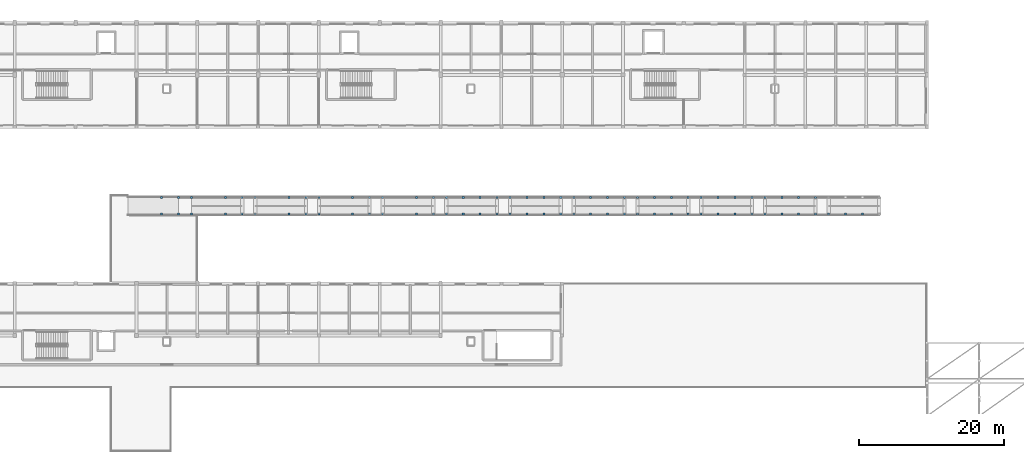
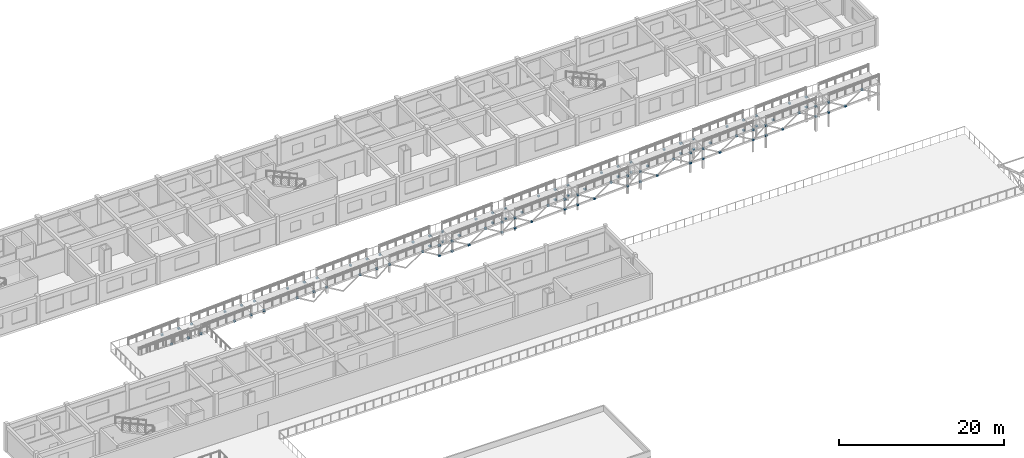
# One storey, part 25 of 41: 106 plates.
"""IFC4 building model written with IfcOpenShell, lengths in metres."""

import ifcopenshell
import ifcopenshell.guid

model = None  # the IFC model being written
_history = None  # IfcOwnerHistory: only IFC2X3 demands one
_inside = {}  # id of a spatial element -> (the spatial element, [elements in it])
_under = {}  # id of a project, library or spatial element -> (it, [spatial elements below it])
_declared = {}  # id of a project -> (the project, [libraries it declares])
_typed = {}  # id of a type object -> (the type object, [elements of that type])
_made_of = {}  # id of a material, layer set ... -> (it, [elements and type objects made of it])


def new_model(schema):
    """Start an empty IFC model of exactly this schema.

    Asked for "IFC4X3", IfcOpenShell would pick the latest addendum, in which some entities
    have other attributes; the version numbers below select the first issue.
    IFC2X3 requires an IfcOwnerHistory on every rooted entity: one is made here for all.
    """
    global model, _history
    if schema == "IFC4X3":
        model = ifcopenshell.file(schema_version=(4, 3, 0, 0))
    else:
        model = ifcopenshell.file(schema=schema)
    _inside.clear()
    _under.clear()
    _declared.clear()
    _typed.clear()
    _made_of.clear()
    _history = None
    if model.schema == "IFC2X3":
        org = make("IfcOrganization", Name="unknown")
        user = make(
            "IfcPersonAndOrganization",
            ThePerson=make("IfcPerson", FamilyName="unknown"),
            TheOrganization=org,
        )
        app = make(
            "IfcApplication",
            ApplicationDeveloper=org,
            Version="unknown",
            ApplicationFullName="unknown",
            ApplicationIdentifier="unknown",
        )
        _history = make(
            "IfcOwnerHistory",
            OwningUser=user,
            OwningApplication=app,
            ChangeAction="ADDED",
            CreationDate=0,
        )
    return model


def make(cls, **values):
    """One entity of the class cls with the attributes given. An attribute that is None is left unset."""
    return model.create_entity(
        cls, **{name: value for name, value in values.items() if value is not None}
    )


def rooted(cls, **values):
    """An entity with a GlobalId (a new one), such as an element, a storey or a relation."""
    return make(cls, GlobalId=ifcopenshell.guid.new(), OwnerHistory=_history, **values)


def si_unit(unit_type, name, prefix=None):
    """IfcSIUnit, for example si_unit("LENGTHUNIT", "METRE", prefix="MILLI")."""
    return make("IfcSIUnit", UnitType=unit_type, Prefix=prefix, Name=name)


def assignment(units):
    """IfcUnitAssignment: the units of a project."""
    return None if units is None else make("IfcUnitAssignment", Units=units)


def point(xyz):
    """IfcCartesianPoint."""
    return None if xyz is None else make("IfcCartesianPoint", Coordinates=xyz)


def direction(xyz):
    """IfcDirection."""
    return None if xyz is None else make("IfcDirection", DirectionRatios=xyz)


def frame(location, z_axis=None, x_axis=None):
    """IfcAxis2Placement3D, a coordinate frame: its origin and axes. An axis left out is left unset."""
    return make(
        "IfcAxis2Placement3D",
        Location=point(location),
        Axis=direction(z_axis),
        RefDirection=direction(x_axis),
    )


def frame_2d(location, x_axis=None):
    """IfcAxis2Placement2D, a coordinate frame in the plane: its origin and x axis."""
    return make(
        "IfcAxis2Placement2D", Location=point(location), RefDirection=direction(x_axis)
    )


def origin():
    """The frame at (0, 0, 0) with its axes left unset."""
    return frame((0.0, 0.0, 0.0))


def origin_2d():
    """The frame at (0, 0) in the plane with its x axis left unset."""
    return frame_2d((0.0, 0.0))


def place(relative_to, where):
    """IfcLocalPlacement: puts the frame where relative to a parent placement (None: the world)."""
    return make(
        "IfcLocalPlacement", PlacementRelTo=relative_to, RelativePlacement=where
    )


def context(
    kind, dimensions, precision=None, world=None, true_north=None, identifier=None
):
    """IfcGeometricRepresentationContext, for example the 3D "Model" context."""
    return make(
        "IfcGeometricRepresentationContext",
        ContextIdentifier=identifier,
        ContextType=kind,
        CoordinateSpaceDimension=dimensions,
        Precision=precision,
        WorldCoordinateSystem=world,
        TrueNorth=true_north,
    )


def subcontext(parent, identifier, kind, view, scale=None):
    """IfcGeometricRepresentationSubContext, for example "Body" below "Model"."""
    return make(
        "IfcGeometricRepresentationSubContext",
        ContextIdentifier=identifier,
        ContextType=kind,
        ParentContext=parent,
        TargetScale=scale,
        TargetView=view,
    )


def project(units=None, contexts=None):
    """IfcProject with its units and contexts."""
    return rooted(
        "IfcProject",
        Name="project",
        RepresentationContexts=contexts,
        UnitsInContext=assignment(units),
    )


def spatial(cls, under=None, at=None, **own):
    """A site, building, storey or space (cls), placed at a placement, below another one or the project."""
    s = rooted(cls, ObjectPlacement=at, **own)
    if under is not None:
        _under.setdefault(under.id(), (under, []))[1].append(s)
    return s


def profile(cls, at=None, kind="AREA", **sizes):
    """A parametric profile (cls). Its sizes go by their IFC names, for example OverallWidth=200.0."""
    return make(cls, ProfileType=kind, Position=at, **sizes)


def rectangle(**sizes):
    """IfcRectangleProfileDef."""
    return profile("IfcRectangleProfileDef", **sizes)


def extrude(swept, where, along, depth):
    """IfcExtrudedAreaSolid: the profile swept, set in the frame where, extruded along a direction by depth."""
    return make(
        "IfcExtrudedAreaSolid",
        SweptArea=swept,
        Position=where,
        ExtrudedDirection=direction(along),
        Depth=depth,
    )


def shape(context_of_items, identifier, shape_type, items):
    """IfcShapeRepresentation: the items that make up one representation, for example the "Body"."""
    return make(
        "IfcShapeRepresentation",
        ContextOfItems=context_of_items,
        RepresentationIdentifier=identifier,
        RepresentationType=shape_type,
        Items=items,
    )


def material(Name=None, Category=None):
    """IfcMaterial."""
    return make("IfcMaterial", Name=Name, Category=Category)


def layer(
    of_material, thickness, ventilated=None, Name=None, Category=None, Priority=None
):
    """IfcMaterialLayer: one layer of a wall or slab, of a material (None: an air gap)."""
    return make(
        "IfcMaterialLayer",
        Material=of_material,
        LayerThickness=thickness,
        IsVentilated=ventilated,
        Name=Name,
        Category=Category,
        Priority=Priority,
    )


def layer_set(layers, Name=None):
    """IfcMaterialLayerSet."""
    return make("IfcMaterialLayerSet", MaterialLayers=layers, LayerSetName=Name)


def made_of(thing, what):
    """Note that an element or type object is made of a material, layer set ...; save() writes the relation."""
    if what is not None:
        _made_of.setdefault(what.id(), (what, []))[1].append(thing)
    return thing


def type_object(cls, material=None, **own):
    """A type object (cls), such as IfcWallType, which elements share."""
    return made_of(rooted(cls, **own), material)


def element(
    cls,
    number,
    at=None,
    inside=None,
    cuts=None,
    type_object=None,
    material=None,
    context=None,
    identifier="Body",
    shape_type=None,
    held_by="IfcProductDefinitionShape",
    body=None,
    shapes=None,
    **own,
):
    """One element of the class cls, such as IfcWall. Its Tag is "e" and its number.

    at: its placement. inside: the storey or other place that contains it. cuts: it is an
    opening in that element (IfcRelVoidsElement). A single representation is given by context,
    identifier, shape_type and body (its items); several are given by shapes. held_by: the class
    of the entity that holds the representations. save() writes the other relations.
    """
    e = rooted(cls, Tag="e%d" % number, ObjectPlacement=at, **own)
    if body is not None:
        shapes = [shape(context, identifier, shape_type, body)]
    if shapes is not None:
        e.Representation = make(held_by, Representations=shapes)
    if inside is not None:
        _inside.setdefault(inside.id(), (inside, []))[1].append(e)
    if cuts is not None:
        rooted(
            "IfcRelVoidsElement", RelatingBuildingElement=cuts, RelatedOpeningElement=e
        )
    if type_object is not None:
        _typed.setdefault(type_object.id(), (type_object, []))[1].append(e)
    return made_of(e, material)


def aggregate(whole, parts):
    """IfcRelAggregates: a whole, such as a stair, and the parts it consists of."""
    return rooted("IfcRelAggregates", RelatingObject=whole, RelatedObjects=parts)


def save(model, path):
    """Write the relations noted so far, then the file.

    IfcRelAggregates (storeys below a building ...), IfcRelContainedInSpatialStructure (elements
    in a storey), IfcRelDefinesByType, IfcRelAssociatesMaterial and IfcRelDeclares: one each for
    every whole, place, type object, material and project.
    """
    for whole, parts in _under.values():
        aggregate(whole, parts)
    for where, things in _inside.values():
        rooted(
            "IfcRelContainedInSpatialStructure",
            RelatedElements=things,
            RelatingStructure=where,
        )
    for kind, things in _typed.values():
        rooted("IfcRelDefinesByType", RelatedObjects=things, RelatingType=kind)
    for what, things in _made_of.values():
        rooted("IfcRelAssociatesMaterial", RelatedObjects=things, RelatingMaterial=what)
    for by, libraries in _declared.values():
        rooted("IfcRelDeclares", RelatingContext=by, RelatedDefinitions=libraries)
    model.write(path)


model = new_model("IFC4")

# Units and contexts
model_context = context("Model", 3, precision=1e-05, world=origin(), true_north=direction((0.0, 1.0)))
body_context = subcontext(model_context, "Body", "Model", "MODEL_VIEW")
ifc_project = project(units=[si_unit("LENGTHUNIT", "METRE"), si_unit("AREAUNIT", "SQUARE_METRE"), si_unit("VOLUMEUNIT", "CUBIC_METRE"), si_unit("PLANEANGLEUNIT", "RADIAN"), si_unit("MASSUNIT", "GRAM", prefix="KILO")], contexts=[model_context])

# Site, building, storey
site_placement = place(None, origin())
site = spatial("IfcSite", under=ifc_project, at=site_placement, CompositionType="ELEMENT")
building_placement = place(site_placement, origin())
building = spatial("IfcBuilding", under=site, at=building_placement, Name="Malvenik Polytechnic", CompositionType="ELEMENT")
storey_placement = place(building_placement, frame((0.0, 0.0, 17.699951171875)))
storey = spatial("IfcBuildingStorey", under=building, at=storey_placement, Name="L04", CompositionType="ELEMENT", Elevation=17.699951171875)

# Plates
ifc_material = material(Name="Steel S355J2H", Category="steel")
ifc_layer = layer(ifc_material, 0.034912109375)
ifc_layer_set = layer_set([ifc_layer], Name="Steel S355J2H")
plate_type = type_object("IfcPlateType", Name="STR-PLT-NP-03", PredefinedType="USERDEFINED", material=ifc_layer_set)
for number, where, z_axis, x_axis, name in (
    (1, (31.0, 103.14990234375, 0.02001953125), (0.0, 0.0, 1.0), (1.0, 0.0, 0.0), "Warren Joint Node Plate RB-03"),
    (2, (32.800048828125, 103.14990234375, 0.02001953125), (0.0, 0.0, 1.0), (1.0, 0.0, 0.0), "Warren Joint Node Plate RB-03"),
    (3, (39.800048828125, 103.14990234375, 0.3701171875), (0.0, 0.0, 1.0), (1.0, 0.0, 0.0), "Warren Joint Node Plate RB-03"),
    (4, (41.60009765625, 103.14990234375, 0.3701171875), (0.0, 0.0, 1.0), (1.0, 0.0, 0.0), "Warren Joint Node Plate RB-03"),
    (5, (48.60009765625, 103.14990234375, 0.72021484375), (0.0, 0.0, 1.0), (1.0, 0.0, 0.0), "Warren Joint Node Plate RB-03"),
    (6, (50.39990234375, 103.14990234375, 0.72021484375), (0.0, 0.0, 1.0), (1.0, 0.0, 0.0), "Warren Joint Node Plate RB-03"),
    (7, (57.39990234375, 103.14990234375, 1.06982421875), (0.0, 0.0, 1.0), (1.0, 0.0, 0.0), "Warren Joint Node Plate RB-03"),
    (8, (59.199951171875, 103.14990234375, 1.06982421875), (0.0, 0.0, 1.0), (1.0, 0.0, 0.0), "Warren Joint Node Plate RB-03"),
    (9, (66.199951171875, 103.14990234375, 1.419921875), (0.0, 0.0, 1.0), (1.0, 0.0, 0.0), "Warren Joint Node Plate RB-03"),
    (10, (66.199951171875, 103.14990234375, -0.080078125), (0.0, 0.0, 1.0), (1.0, 0.0, 0.0), "Warren Joint Node Plate RB-03"),
    (11, (68.0, 103.14990234375, 1.419921875), (0.0, 0.0, 1.0), (1.0, 0.0, 0.0), "Warren Joint Node Plate RB-03"),
    (12, (68.0, 103.14990234375, -0.080078125), (0.0, 0.0, 1.0), (1.0, 0.0, 0.0), "Warren Joint Node Plate RB-03"),
    (13, (75.0, 103.14990234375, 1.77001953125), (0.0, 0.0, 1.0), (1.0, 0.0, 0.0), "Warren Joint Node Plate RB-03"),
    (14, (75.0, 103.14990234375, 0.27001953125), (0.0, 0.0, 1.0), (1.0, 0.0, 0.0), "Warren Joint Node Plate RB-03"),
    (15, (76.800048828125, 103.14990234375, 1.77001953125), (0.0, 0.0, 1.0), (1.0, 0.0, 0.0), "Warren Joint Node Plate RB-03"),
    (16, (76.800048828125, 103.14990234375, 0.27001953125), (0.0, 0.0, 1.0), (1.0, 0.0, 0.0), "Warren Joint Node Plate RB-03"),
    (17, (83.800048828125, 103.14990234375, 2.1201171875), (0.0, 0.0, 1.0), (1.0, 0.0, 0.0), "Warren Joint Node Plate RB-03"),
    (18, (83.800048828125, 103.14990234375, 0.6201171875), (0.0, 0.0, 1.0), (1.0, 0.0, 0.0), "Warren Joint Node Plate RB-03"),
    (19, (85.60009765625, 103.14990234375, 2.1201171875), (0.0, 0.0, 1.0), (1.0, 0.0, 0.0), "Warren Joint Node Plate RB-03"),
    (20, (85.60009765625, 103.14990234375, 0.6201171875), (0.0, 0.0, 1.0), (1.0, 0.0, 0.0), "Warren Joint Node Plate RB-03"),
    (21, (92.60009765625, 103.14990234375, 2.47021484375), (0.0, 0.0, 1.0), (1.0, 0.0, 0.0), "Warren Joint Node Plate RB-03"),
    (22, (92.60009765625, 103.14990234375, 0.97021484375), (0.0, 0.0, 1.0), (1.0, 0.0, 0.0), "Warren Joint Node Plate RB-03"),
    (23, (94.39990234375, 103.14990234375, 2.47021484375), (0.0, 0.0, 1.0), (1.0, 0.0, 0.0), "Warren Joint Node Plate RB-03"),
    (24, (94.39990234375, 103.14990234375, 0.97021484375), (0.0, 0.0, 1.0), (1.0, 0.0, 0.0), "Warren Joint Node Plate RB-03"),
    (25, (101.39990234375, 103.14990234375, 2.81982421875), (0.0, 0.0, 1.0), (1.0, 0.0, 0.0), "Warren Joint Node Plate RB-03"),
    (26, (101.39990234375, 103.14990234375, 1.31982421875), (0.0, 0.0, 1.0), (1.0, 0.0, 0.0), "Warren Joint Node Plate RB-03"),
    (27, (103.199951171875, 103.14990234375, 2.81982421875), (0.0, 0.0, 1.0), (1.0, 0.0, 0.0), "Warren Joint Node Plate RB-03"),
    (28, (103.199951171875, 103.14990234375, 1.31982421875), (0.0, 0.0, 1.0), (1.0, 0.0, 0.0), "Warren Joint Node Plate RB-03"),
    (29, (110.199951171875, 103.14990234375, 3.169921875), (0.0, 0.0, 1.0), (1.0, 0.0, 0.0), "Warren Joint Node Plate RB-03"),
    (30, (110.199951171875, 103.14990234375, 1.669921875), (0.0, 0.0, 1.0), (1.0, 0.0, 0.0), "Warren Joint Node Plate RB-03"),
    (31, (112.0, 103.14990234375, 3.169921875), (0.0, 0.0, 1.0), (1.0, 0.0, 0.0), "Warren Joint Node Plate RB-03"),
    (32, (112.0, 103.14990234375, 1.669921875), (0.0, 0.0, 1.0), (1.0, 0.0, 0.0), "Warren Joint Node Plate RB-03"),
    (33, (119.0, 103.14990234375, 3.52001953125), (0.0, 0.0, 1.0), (1.0, 0.0, 0.0), "Warren Joint Node Plate RB-03"),
    (34, (119.0, 103.14990234375, 2.02001953125), (0.0, 0.0, 1.0), (1.0, 0.0, 0.0), "Warren Joint Node Plate RB-03"),
    (35, (120.800048828125, 103.14990234375, 3.52001953125), (0.0, 0.0, 1.0), (1.0, 0.0, 0.0), "Warren Joint Node Plate RB-03"),
    (36, (120.800048828125, 103.14990234375, 2.02001953125), (0.0, 0.0, 1.0), (1.0, 0.0, 0.0), "Warren Joint Node Plate RB-03"),
    (37, (28.666748046875, 103.14990234375, -0.0966796875), (0.0, 0.0, 1.0), (1.0, 0.0, 0.0), "Warren Web Node Plate RB-03"),
    (38, (37.466796875, 103.14990234375, 0.25341796875), (0.0, 0.0, 1.0), (1.0, 0.0, 0.0), "Warren Web Node Plate RB-03"),
    (39, (46.2666015625, 103.14990234375, 0.603515625), (0.0, 0.0, 1.0), (1.0, 0.0, 0.0), "Warren Web Node Plate RB-03"),
    (40, (55.066650390625, 103.14990234375, 0.953125), (0.0, 0.0, 1.0), (1.0, 0.0, 0.0), "Warren Web Node Plate RB-03"),
    (41, (63.86669921875, 103.14990234375, 1.30322265625), (0.0, 0.0, 1.0), (1.0, 0.0, 0.0), "Warren Web Node Plate RB-03"),
    (42, (70.333251953125, 103.14990234375, 0.03662109375), (0.0, 0.0, 1.0), (1.0, 0.0, 0.0), "Warren Web Node Plate RB-03"),
    (43, (72.666748046875, 103.14990234375, 1.6533203125), (0.0, 0.0, 1.0), (1.0, 0.0, 0.0), "Warren Web Node Plate RB-03"),
    (44, (79.13330078125, 103.14990234375, 0.38671875), (0.0, 0.0, 1.0), (1.0, 0.0, 0.0), "Warren Web Node Plate RB-03"),
    (45, (81.466796875, 103.14990234375, 2.00341796875), (0.0, 0.0, 1.0), (1.0, 0.0, 0.0), "Warren Web Node Plate RB-03"),
    (46, (87.933349609375, 103.14990234375, 0.73681640625), (0.0, 0.0, 1.0), (1.0, 0.0, 0.0), "Warren Web Node Plate RB-03"),
    (47, (90.2666015625, 103.14990234375, 2.353515625), (0.0, 0.0, 1.0), (1.0, 0.0, 0.0), "Warren Web Node Plate RB-03"),
    (48, (96.7333984375, 103.14990234375, 1.0869140625), (0.0, 0.0, 1.0), (1.0, 0.0, 0.0), "Warren Web Node Plate RB-03"),
    (49, (99.066650390625, 103.14990234375, 2.703125), (0.0, 0.0, 1.0), (1.0, 0.0, 0.0), "Warren Web Node Plate RB-03"),
    (50, (105.533203125, 103.14990234375, 1.4365234375), (0.0, 0.0, 1.0), (1.0, 0.0, 0.0), "Warren Web Node Plate RB-03"),
    (51, (107.86669921875, 103.14990234375, 3.05322265625), (0.0, 0.0, 1.0), (1.0, 0.0, 0.0), "Warren Web Node Plate RB-03"),
    (52, (114.333251953125, 103.14990234375, 1.78662109375), (0.0, 0.0, 1.0), (1.0, 0.0, 0.0), "Warren Web Node Plate RB-03"),
    (53, (116.666748046875, 103.14990234375, 3.4033203125), (0.0, 0.0, 1.0), (1.0, 0.0, 0.0), "Warren Web Node Plate RB-03"),
    (54, (123.13330078125, 103.14990234375, 2.13671875), (0.0, 0.0, 1.0), (1.0, 0.0, 0.0), "Warren Web Node Plate RB-03"),
    (55, (125.466796875, 103.14990234375, 3.75341796875), (0.0, 0.0, 1.0), (1.0, 0.0, 0.0), "Warren Web Node Plate RB-03"),
    (56, (31.0, 105.449951171875, 0.02001953125), (0.0, 0.0, 1.0), (1.0, 0.0, 0.0), "Warren Joint Node Plate RB-03"),
    (57, (32.800048828125, 105.449951171875, 0.02001953125), (0.0, 0.0, 1.0), (1.0, 0.0, 0.0), "Warren Joint Node Plate RB-03"),
    (58, (39.800048828125, 105.449951171875, 0.3701171875), (0.0, 0.0, 1.0), (1.0, 0.0, 0.0), "Warren Joint Node Plate RB-03"),
    (59, (41.60009765625, 105.449951171875, 0.3701171875), (0.0, 0.0, 1.0), (1.0, 0.0, 0.0), "Warren Joint Node Plate RB-03"),
    (60, (48.60009765625, 105.449951171875, 0.72021484375), (0.0, 0.0, 1.0), (1.0, 0.0, 0.0), "Warren Joint Node Plate RB-03"),
    (61, (50.39990234375, 105.449951171875, 0.72021484375), (0.0, 0.0, 1.0), (1.0, 0.0, 0.0), "Warren Joint Node Plate RB-03"),
    (62, (57.39990234375, 105.449951171875, 1.06982421875), (0.0, 0.0, 1.0), (1.0, 0.0, 0.0), "Warren Joint Node Plate RB-03"),
    (63, (59.199951171875, 105.449951171875, 1.06982421875), (0.0, 0.0, 1.0), (1.0, 0.0, 0.0), "Warren Joint Node Plate RB-03"),
    (64, (66.199951171875, 105.449951171875, 1.419921875), (0.0, 0.0, 1.0), (1.0, 0.0, 0.0), "Warren Joint Node Plate RB-03"),
    (65, (66.199951171875, 105.449951171875, -0.080078125), (0.0, 0.0, 1.0), (1.0, 0.0, 0.0), "Warren Joint Node Plate RB-03"),
    (66, (68.0, 105.449951171875, 1.419921875), (0.0, 0.0, 1.0), (1.0, 0.0, 0.0), "Warren Joint Node Plate RB-03"),
    (67, (68.0, 105.449951171875, -0.080078125), (0.0, 0.0, 1.0), (1.0, 0.0, 0.0), "Warren Joint Node Plate RB-03"),
    (68, (75.0, 105.449951171875, 1.77001953125), (0.0, 0.0, 1.0), (1.0, 0.0, 0.0), "Warren Joint Node Plate RB-03"),
    (69, (75.0, 105.449951171875, 0.27001953125), (0.0, 0.0, 1.0), (1.0, 0.0, 0.0), "Warren Joint Node Plate RB-03"),
    (70, (76.800048828125, 105.449951171875, 1.77001953125), (0.0, 0.0, 1.0), (1.0, 0.0, 0.0), "Warren Joint Node Plate RB-03"),
    (71, (76.800048828125, 105.449951171875, 0.27001953125), (0.0, 0.0, 1.0), (1.0, 0.0, 0.0), "Warren Joint Node Plate RB-03"),
    (72, (83.800048828125, 105.449951171875, 2.1201171875), (0.0, 0.0, 1.0), (1.0, 0.0, 0.0), "Warren Joint Node Plate RB-03"),
    (73, (83.800048828125, 105.449951171875, 0.6201171875), (0.0, 0.0, 1.0), (1.0, 0.0, 0.0), "Warren Joint Node Plate RB-03"),
    (74, (85.60009765625, 105.449951171875, 2.1201171875), (0.0, 0.0, 1.0), (1.0, 0.0, 0.0), "Warren Joint Node Plate RB-03"),
    (75, (85.60009765625, 105.449951171875, 0.6201171875), (0.0, 0.0, 1.0), (1.0, 0.0, 0.0), "Warren Joint Node Plate RB-03"),
    (76, (92.60009765625, 105.449951171875, 2.47021484375), (0.0, 0.0, 1.0), (1.0, 0.0, 0.0), "Warren Joint Node Plate RB-03"),
    (77, (92.60009765625, 105.449951171875, 0.97021484375), (0.0, 0.0, 1.0), (1.0, 0.0, 0.0), "Warren Joint Node Plate RB-03"),
    (78, (94.39990234375, 105.449951171875, 2.47021484375), (0.0, 0.0, 1.0), (1.0, 0.0, 0.0), "Warren Joint Node Plate RB-03"),
    (79, (94.39990234375, 105.449951171875, 0.97021484375), (0.0, 0.0, 1.0), (1.0, 0.0, 0.0), "Warren Joint Node Plate RB-03"),
    (80, (101.39990234375, 105.449951171875, 2.81982421875), (0.0, 0.0, 1.0), (1.0, 0.0, 0.0), "Warren Joint Node Plate RB-03"),
    (81, (101.39990234375, 105.449951171875, 1.31982421875), (0.0, 0.0, 1.0), (1.0, 0.0, 0.0), "Warren Joint Node Plate RB-03"),
    (82, (103.199951171875, 105.449951171875, 2.81982421875), (0.0, 0.0, 1.0), (1.0, 0.0, 0.0), "Warren Joint Node Plate RB-03"),
    (83, (103.199951171875, 105.449951171875, 1.31982421875), (0.0, 0.0, 1.0), (1.0, 0.0, 0.0), "Warren Joint Node Plate RB-03"),
    (84, (110.199951171875, 105.449951171875, 3.169921875), (0.0, 0.0, 1.0), (1.0, 0.0, 0.0), "Warren Joint Node Plate RB-03"),
    (85, (110.199951171875, 105.449951171875, 1.669921875), (0.0, 0.0, 1.0), (1.0, 0.0, 0.0), "Warren Joint Node Plate RB-03"),
    (86, (112.0, 105.449951171875, 3.169921875), (0.0, 0.0, 1.0), (1.0, 0.0, 0.0), "Warren Joint Node Plate RB-03"),
    (87, (112.0, 105.449951171875, 1.669921875), (0.0, 0.0, 1.0), (1.0, 0.0, 0.0), "Warren Joint Node Plate RB-03"),
    (88, (119.0, 105.449951171875, 3.52001953125), (0.0, 0.0, 1.0), (1.0, 0.0, 0.0), "Warren Joint Node Plate RB-03"),
    (89, (119.0, 105.449951171875, 2.02001953125), (0.0, 0.0, 1.0), (1.0, 0.0, 0.0), "Warren Joint Node Plate RB-03"),
    (90, (28.666748046875, 105.449951171875, -0.0966796875), (0.0, 0.0, 1.0), (1.0, 0.0, 0.0), "Warren Web Node Plate RB-03"),
    (91, (37.466796875, 105.449951171875, 0.25341796875), (0.0, 0.0, 1.0), (1.0, 0.0, 0.0), "Warren Web Node Plate RB-03"),
    (92, (46.2666015625, 105.449951171875, 0.603515625), (0.0, 0.0, 1.0), (1.0, 0.0, 0.0), "Warren Web Node Plate RB-03"),
    (93, (55.066650390625, 105.449951171875, 0.953125), (0.0, 0.0, 1.0), (1.0, 0.0, 0.0), "Warren Web Node Plate RB-03"),
    (94, (63.86669921875, 105.449951171875, 1.30322265625), (0.0, 0.0, 1.0), (1.0, 0.0, 0.0), "Warren Web Node Plate RB-03"),
    (95, (70.333251953125, 105.449951171875, 0.03662109375), (0.0, 0.0, 1.0), (1.0, 0.0, 0.0), "Warren Web Node Plate RB-03"),
    (96, (72.666748046875, 105.449951171875, 1.6533203125), (0.0, 0.0, 1.0), (1.0, 0.0, 0.0), "Warren Web Node Plate RB-03"),
    (97, (79.13330078125, 105.449951171875, 0.38671875), (0.0, 0.0, 1.0), (1.0, 0.0, 0.0), "Warren Web Node Plate RB-03"),
    (98, (81.466796875, 105.449951171875, 2.00341796875), (0.0, 0.0, 1.0), (1.0, 0.0, 0.0), "Warren Web Node Plate RB-03"),
    (99, (87.933349609375, 105.449951171875, 0.73681640625), (0.0, 0.0, 1.0), (1.0, 0.0, 0.0), "Warren Web Node Plate RB-03"),
    (100, (90.2666015625, 105.449951171875, 2.353515625), (0.0, 0.0, 1.0), (1.0, 0.0, 0.0), "Warren Web Node Plate RB-03"),
    (101, (96.7333984375, 105.449951171875, 1.0869140625), (0.0, 0.0, 1.0), (1.0, 0.0, 0.0), "Warren Web Node Plate RB-03"),
    (102, (99.066650390625, 105.449951171875, 2.703125), (0.0, 0.0, 1.0), (1.0, 0.0, 0.0), "Warren Web Node Plate RB-03"),
    (103, (105.533203125, 105.449951171875, 1.4365234375), (0.0, 0.0, 1.0), (1.0, 0.0, 0.0), "Warren Web Node Plate RB-03"),
    (104, (107.86669921875, 105.449951171875, 3.05322265625), (0.0, 0.0, 1.0), (1.0, 0.0, 0.0), "Warren Web Node Plate RB-03"),
    (105, (114.333251953125, 105.449951171875, 1.78662109375), (0.0, 0.0, 1.0), (1.0, 0.0, 0.0), "Warren Web Node Plate RB-03"),
    (106, (116.666748046875, 105.449951171875, 3.4033203125), (0.0, 0.0, 1.0), (1.0, 0.0, 0.0), "Warren Web Node Plate RB-03"),
):
    element("IfcPlate", number, at=place(storey_placement, frame(where, z_axis=z_axis, x_axis=x_axis)), inside=storey, type_object=plate_type, Name=name, ObjectType="GUSSET PLATE", PredefinedType="USERDEFINED", context=body_context, shape_type="SweptSolid", body=[
        extrude(rectangle(XDim=0.280029296875, YDim=0.280029296875, at=origin_2d()), origin(), (0.0, 0.0, 1.0), 0.219970703125),
    ])

save(model, "model.ifc")
